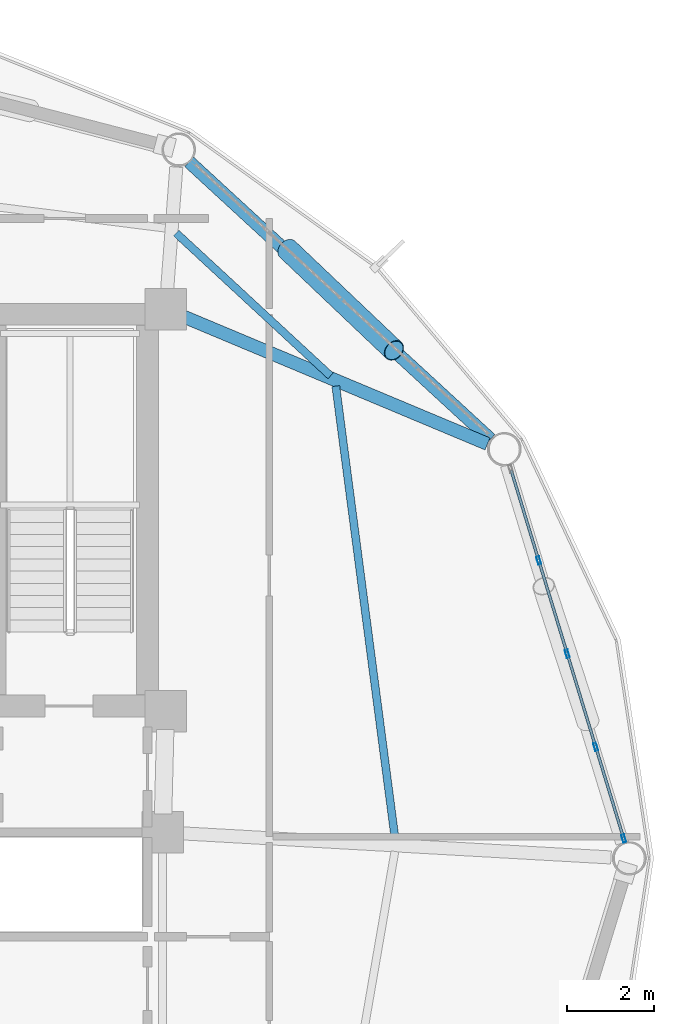
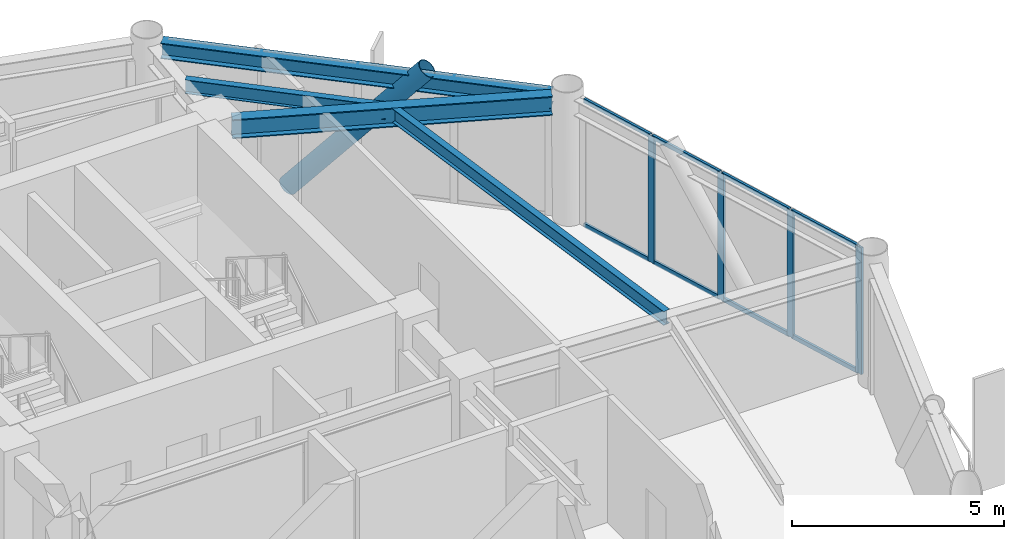
# One storey, part 15 of 24: 13 members, 4 beams, 1 element without a shape of its own.
"""IFC4 building model written with IfcOpenShell, lengths in metres."""

from ifc_helpers import new_model, si_unit, direction, frame, origin, origin_2d, place, context, subcontext, project, spatial, hollow_rectangle, hollow_circle, i_section, extrude, material, layer, layer_set, material_profile, profile_set, type_object, element, aggregate, save


model = new_model("IFC4")

# Units and contexts
model_context = context("Model", 3, precision=1e-05, world=origin(), true_north=direction((0.0, 1.0)))
body_context = subcontext(model_context, "Body", "Model", "MODEL_VIEW")
ifc_project = project(units=[si_unit("LENGTHUNIT", "METRE"), si_unit("AREAUNIT", "SQUARE_METRE"), si_unit("VOLUMEUNIT", "CUBIC_METRE"), si_unit("PLANEANGLEUNIT", "RADIAN"), si_unit("MASSUNIT", "GRAM", prefix="KILO")], contexts=[model_context])

# Site, building, storey
site_placement = place(None, origin())
site = spatial("IfcSite", under=ifc_project, at=site_placement, CompositionType="ELEMENT")
building_placement = place(site_placement, origin())
building = spatial("IfcBuilding", under=site, at=building_placement, Name="Varnakorn Sky Granary", CompositionType="ELEMENT")
storey_placement = place(building_placement, frame((0.0, 0.0, 161.699951171875)))
storey = spatial("IfcBuildingStorey", under=building, at=storey_placement, Name="L40", CompositionType="ELEMENT", Elevation=161.699951171875)

# Beams
ifc_material_1 = material(Name="Steel S355JR", Category="steel")
ifc_material_profile_1 = material_profile(ifc_material_1, i_section(OverallWidth=0.300048828125, OverallDepth=0.550048828125, WebThickness=0.014892578125, FlangeThickness=0.029052734375, at=origin_2d()), Name="HE 550 B")
ifc_profile_set_1 = profile_set([ifc_material_profile_1], Name="Steel S355JR")
beam_type_1 = type_object("IfcBeamType", Name="BM-RAD-Z3", PredefinedType="BEAM", material=ifc_profile_set_1)
beam_1_placement = place(storey_placement, frame((8.807373046875, 12.457763671875, 3.364990234375), z_axis=(0.922350711085, -0.386353679627, 0.0), x_axis=(0.386353679627, 0.922350711085, 0.0)))
element("IfcBeam", 1, at=beam_1_placement, inside=storey, type_object=beam_type_1, Name="Radial Floor Girder RG02 L40", PredefinedType="BEAM", context=body_context, shape_type="SweptSolid", body=[
    extrude(i_section(OverallWidth=0.300048828125, OverallDepth=0.550048828125, WebThickness=0.014892578125, FlangeThickness=0.029052734375, at=origin_2d()), origin(), (0.0, 0.0, 1.0), 7.59619140625),
])
ifc_material_profile_2 = material_profile(ifc_material_1, i_section(OverallWidth=0.179931640625, OverallDepth=0.39990234375, WebThickness=0.008544921875, FlangeThickness=0.013427734375, at=origin_2d()), Name="IPE 400")
ifc_profile_set_2 = profile_set([ifc_material_profile_2], Name="Steel S355JR")
beam_type_2 = type_object("IfcBeamType", Name="BM-SEC-Z3", PredefinedType="BEAM", material=ifc_profile_set_2)
beam_2_placement = place(storey_placement, frame((13.6923828125, 0.437255859375, 3.43994140625), z_axis=(-0.129842982347, 0.9915345682, 0.0), x_axis=(-0.9915345682, -0.129842982347, 0.0)))
element("IfcBeam", 2, at=beam_2_placement, inside=storey, type_object=beam_type_2, Name="Secondary Floor Chord Beam MSB01 L40", PredefinedType="BEAM", context=body_context, shape_type="SweptSolid", body=[
    extrude(i_section(OverallWidth=0.179931640625, OverallDepth=0.39990234375, WebThickness=0.008544921875, FlangeThickness=0.013427734375, at=origin_2d()), origin(), (0.0, 0.0, 1.0), 10.503173828125),
])
beam_3_placement = place(storey_placement, frame((12.207763671875, 11.08544921875, 3.43994140625), z_axis=(-0.734130921313, 0.679007945735, 0.0), x_axis=(-0.679007945735, -0.734130921313, 0.0)))
element("IfcBeam", 3, at=beam_3_placement, inside=storey, type_object=beam_type_2, Name="Secondary Floor Chord Beam MSB02 L40", PredefinedType="BEAM", context=body_context, shape_type="SweptSolid", body=[
    extrude(i_section(OverallWidth=0.179931640625, OverallDepth=0.39990234375, WebThickness=0.008544921875, FlangeThickness=0.013427734375, at=origin_2d()), origin(), (0.0, 0.0, 1.0), 4.83203125),
])
ifc_material_profile_3 = material_profile(ifc_material_1, i_section(OverallWidth=0.300048828125, OverallDepth=0.449951171875, WebThickness=0.013916015625, FlangeThickness=0.02587890625, at=origin_2d()), Name="HE 450 B")
ifc_profile_set_3 = profile_set([ifc_material_profile_3], Name="Steel S355JR")
beam_type_3 = type_object("IfcBeamType", Name="BM-SPD-Z3", PredefinedType="SPANDREL", material=ifc_profile_set_3)
beam_4_placement = place(storey_placement, frame((15.882080078125, 9.62939453125, 3.4150390625), z_axis=(-0.735734961575, 0.677269566949, 0.0), x_axis=(-0.677269566949, -0.735734961575, 0.0)))
element("IfcBeam", 4, at=beam_4_placement, inside=storey, type_object=beam_type_3, Name="Perimeter Spandrel Ring Beam RB02 L40", PredefinedType="SPANDREL", context=body_context, shape_type="SweptSolid", body=[
    extrude(i_section(OverallWidth=0.300048828125, OverallDepth=0.449951171875, WebThickness=0.013916015625, FlangeThickness=0.02587890625, at=origin_2d()), origin(), (0.0, 0.0, 1.0), 9.408203125),
])

# Curtain wall, members
ifc_material_2 = material(Name="Anodised Bronze Aluminium Alloy 6063-T6", Category="aluminium")
ifc_layer = layer(ifc_material_2, 0.179931640625, Name="Anodised Bronze Aluminium Alloy 6063-T6")
ifc_layer_set = layer_set([ifc_layer], Name="Anodised Bronze Aluminium Alloy 6063-T6")
curtain_wall_type = type_object("IfcCurtainWallType", Name="CW-FRM-2", PredefinedType="USERDEFINED", material=ifc_layer_set)
curtain_wall_placement = place(storey_placement, origin())
curtain_wall = element("IfcCurtainWall", 5, at=curtain_wall_placement, inside=storey, type_object=curtain_wall_type, Name="Unitised Curtain Wall CW4 CW-L40-B01", ObjectType="CURTAIN WALL", PredefinedType="USERDEFINED")
ifc_material_profile_4 = material_profile(ifc_material_2, hollow_rectangle(XDim=0.070068359375, YDim=0.18505859375, WallThickness=0.00390625, at=origin_2d()), Name="ALU MULL 70x185")
ifc_profile_set_4 = profile_set([ifc_material_profile_4], Name="Anodised Bronze Aluminium Alloy 6063-T6")
member_type_1 = type_object("IfcMemberType", Name="CW-FRM-2-MULL", PredefinedType="MULLION", material=ifc_profile_set_4)
member_1_placement = place(storey_placement, frame((16.991455078125, 6.843017578125, 0.0), z_axis=(0.0, 0.0, 1.0), x_axis=(0.956331104818, 0.292285507608, 0.0)))
member_1 = element("IfcMember", 6, at=member_1_placement, type_object=member_type_1, Name="CW4 mullion 2", PredefinedType="MULLION", context=body_context, shape_type="SweptSolid", body=[
    extrude(hollow_rectangle(XDim=0.070068359375, YDim=0.18505859375, WallThickness=0.00390625, at=origin_2d()), origin(), (0.0, 0.0, 1.0), 3.64013671875),
])
member_2_placement = place(storey_placement, frame((17.645751953125, 4.702392578125, 0.0), z_axis=(0.0, 0.0, 1.0), x_axis=(0.956331104818, 0.292285507608, 0.0)))
member_2 = element("IfcMember", 7, at=member_2_placement, type_object=member_type_1, Name="CW4 mullion 3", PredefinedType="MULLION", context=body_context, shape_type="SweptSolid", body=[
    extrude(hollow_rectangle(XDim=0.070068359375, YDim=0.18505859375, WallThickness=0.00390625, at=origin_2d()), origin(), (0.0, 0.0, 1.0), 3.64013671875),
])
member_3_placement = place(storey_placement, frame((18.2998046875, 2.56201171875, 0.0), z_axis=(0.0, 0.0, 1.0), x_axis=(0.956331104818, 0.292285507608, 0.0)))
member_3 = element("IfcMember", 8, at=member_3_placement, type_object=member_type_1, Name="CW4 mullion 4", PredefinedType="MULLION", context=body_context, shape_type="SweptSolid", body=[
    extrude(hollow_rectangle(XDim=0.070068359375, YDim=0.18505859375, WallThickness=0.00390625, at=origin_2d()), origin(), (0.0, 0.0, 1.0), 3.64013671875),
])
member_4_placement = place(storey_placement, frame((18.94384765625, 0.455078125, 0.0), z_axis=(0.0, 0.0, 1.0), x_axis=(0.956331104818, 0.292285507608, 0.0)))
member_4 = element("IfcMember", 9, at=member_4_placement, type_object=member_type_1, Name="CW4 mullion 5", PredefinedType="MULLION", context=body_context, shape_type="SweptSolid", body=[
    extrude(hollow_rectangle(XDim=0.070068359375, YDim=0.18505859375, WallThickness=0.00390625, at=origin_2d()), origin(), (0.0, 0.0, 1.0), 3.64013671875),
])
ifc_material_profile_5 = material_profile(ifc_material_2, hollow_rectangle(XDim=0.06494140625, YDim=0.1201171875, WallThickness=0.00341796875, at=origin_2d()), Name="ALU TRAN 65x120")
ifc_profile_set_5 = profile_set([ifc_material_profile_5], Name="Anodised Bronze Aluminium Alloy 6063-T6")
member_type_2 = type_object("IfcMemberType", Name="CW-FRM-2-TRAN", PredefinedType="USERDEFINED", material=ifc_profile_set_5)
member_5_placement = place(storey_placement, frame((16.35791015625, 8.916259765625, 0.032470703125), z_axis=(0.292331943881, -0.956316911168, 0.0), x_axis=(0.956316911168, 0.292331943881, 0.0)))
member_5 = element("IfcMember", 10, at=member_5_placement, type_object=member_type_2, Name="CW4 transom 1.1", ObjectType="TRANSOM", PredefinedType="USERDEFINED", context=body_context, shape_type="SweptSolid", body=[
    extrude(hollow_rectangle(XDim=0.06494140625, YDim=0.1201171875, WallThickness=0.00341796875, at=origin_2d()), origin(), (0.0, 0.0, 1.0), 2.133056640625),
])
member_6_placement = place(storey_placement, frame((16.35791015625, 8.916259765625, 3.607666015625), z_axis=(0.292331943881, -0.956316911168, 0.0), x_axis=(0.956316911168, 0.292331943881, 0.0)))
member_6 = element("IfcMember", 11, at=member_6_placement, type_object=member_type_2, Name="CW4 transom 1.2", ObjectType="TRANSOM", PredefinedType="USERDEFINED", context=body_context, shape_type="SweptSolid", body=[
    extrude(hollow_rectangle(XDim=0.06494140625, YDim=0.1201171875, WallThickness=0.00341796875, at=origin_2d()), origin(), (0.0, 0.0, 1.0), 2.133056640625),
])
member_7_placement = place(storey_placement, frame((17.001708984375, 6.809326171875, 0.032470703125), z_axis=(0.292344418491, -0.956313097776, 0.0), x_axis=(0.956313097776, 0.292344418491, 0.0)))
member_7 = element("IfcMember", 12, at=member_7_placement, type_object=member_type_2, Name="CW4 transom 2.1", ObjectType="TRANSOM", PredefinedType="USERDEFINED", context=body_context, shape_type="SweptSolid", body=[
    extrude(hollow_rectangle(XDim=0.06494140625, YDim=0.1201171875, WallThickness=0.00341796875, at=origin_2d()), origin(), (0.0, 0.0, 1.0), 2.16796875),
])
member_8_placement = place(storey_placement, frame((17.001708984375, 6.809326171875, 3.607666015625), z_axis=(0.292344418491, -0.956313097776, 0.0), x_axis=(0.956313097776, 0.292344418491, 0.0)))
member_8 = element("IfcMember", 13, at=member_8_placement, type_object=member_type_2, Name="CW4 transom 2.2", ObjectType="TRANSOM", PredefinedType="USERDEFINED", context=body_context, shape_type="SweptSolid", body=[
    extrude(hollow_rectangle(XDim=0.06494140625, YDim=0.1201171875, WallThickness=0.00341796875, at=origin_2d()), origin(), (0.0, 0.0, 1.0), 2.16796875),
])
member_9_placement = place(storey_placement, frame((17.656005859375, 4.6689453125, 0.032470703125), z_axis=(0.292312938076, -0.956322720756, 0.0), x_axis=(0.956322720756, 0.292312938076, 0.0)))
member_9 = element("IfcMember", 14, at=member_9_placement, type_object=member_type_2, Name="CW4 transom 3.1", ObjectType="TRANSOM", PredefinedType="USERDEFINED", context=body_context, shape_type="SweptSolid", body=[
    extrude(hollow_rectangle(XDim=0.06494140625, YDim=0.1201171875, WallThickness=0.00341796875, at=origin_2d()), origin(), (0.0, 0.0, 1.0), 2.168212890625),
])
member_10_placement = place(storey_placement, frame((17.656005859375, 4.6689453125, 3.607666015625), z_axis=(0.292312938076, -0.956322720756, 0.0), x_axis=(0.956322720756, 0.292312938076, 0.0)))
member_10 = element("IfcMember", 15, at=member_10_placement, type_object=member_type_2, Name="CW4 transom 3.2", ObjectType="TRANSOM", PredefinedType="USERDEFINED", context=body_context, shape_type="SweptSolid", body=[
    extrude(hollow_rectangle(XDim=0.06494140625, YDim=0.1201171875, WallThickness=0.00341796875, at=origin_2d()), origin(), (0.0, 0.0, 1.0), 2.168212890625),
])
member_11_placement = place(storey_placement, frame((18.31005859375, 2.528564453125, 0.032470703125), z_axis=(0.292299948434, -0.956326691118, 0.0), x_axis=(0.956326691118, 0.292299948434, 0.0)))
member_11 = element("IfcMember", 16, at=member_11_placement, type_object=member_type_2, Name="CW4 transom 4.1", ObjectType="TRANSOM", PredefinedType="USERDEFINED", context=body_context, shape_type="SweptSolid", body=[
    extrude(hollow_rectangle(XDim=0.06494140625, YDim=0.1201171875, WallThickness=0.00341796875, at=origin_2d()), origin(), (0.0, 0.0, 1.0), 2.13330078125),
])
member_12_placement = place(storey_placement, frame((18.31005859375, 2.528564453125, 3.607666015625), z_axis=(0.292299948434, -0.956326691118, 0.0), x_axis=(0.956326691118, 0.292299948434, 0.0)))
member_12 = element("IfcMember", 17, at=member_12_placement, type_object=member_type_2, Name="CW4 transom 4.2", ObjectType="TRANSOM", PredefinedType="USERDEFINED", context=body_context, shape_type="SweptSolid", body=[
    extrude(hollow_rectangle(XDim=0.06494140625, YDim=0.1201171875, WallThickness=0.00341796875, at=origin_2d()), origin(), (0.0, 0.0, 1.0), 2.13330078125),
])
aggregate(curtain_wall, [member_1, member_2, member_3, member_4, member_5, member_6, member_7, member_8, member_9, member_10, member_11, member_12])

# Member
ifc_material_3 = material(Name="Steel S460M", Category="steel")
ifc_material_profile_6 = material_profile(ifc_material_3, hollow_circle(Radius=0.25390625, WallThickness=0.01806640625, at=origin_2d()), Name="CHS 508x18")
ifc_profile_set_6 = profile_set([ifc_material_profile_6], Name="Steel S460M")
member_type_3 = type_object("IfcMemberType", Name="MB-DIAG-T2", PredefinedType="BRACE", material=ifc_profile_set_6)
member_13_placement = place(storey_placement, frame((11.21875, 13.994873046875, -0.1298828125), z_axis=(0.472891431381, -0.449383751921, 0.757910243786), x_axis=(0.688859751832, 0.724894642211, 0.0)))
element("IfcMember", 18, at=member_13_placement, inside=storey, type_object=member_type_3, Name="Perimeter CHS Diagrid Brace DG02 L40", PredefinedType="BRACE", context=body_context, shape_type="SweptSolid", body=[
    extrude(hollow_circle(Radius=0.25390625, WallThickness=0.01806640625, at=origin_2d()), origin(), (0.0, 0.0, 1.0), 5.172119140625),
])

save(model, "model.ifc")
